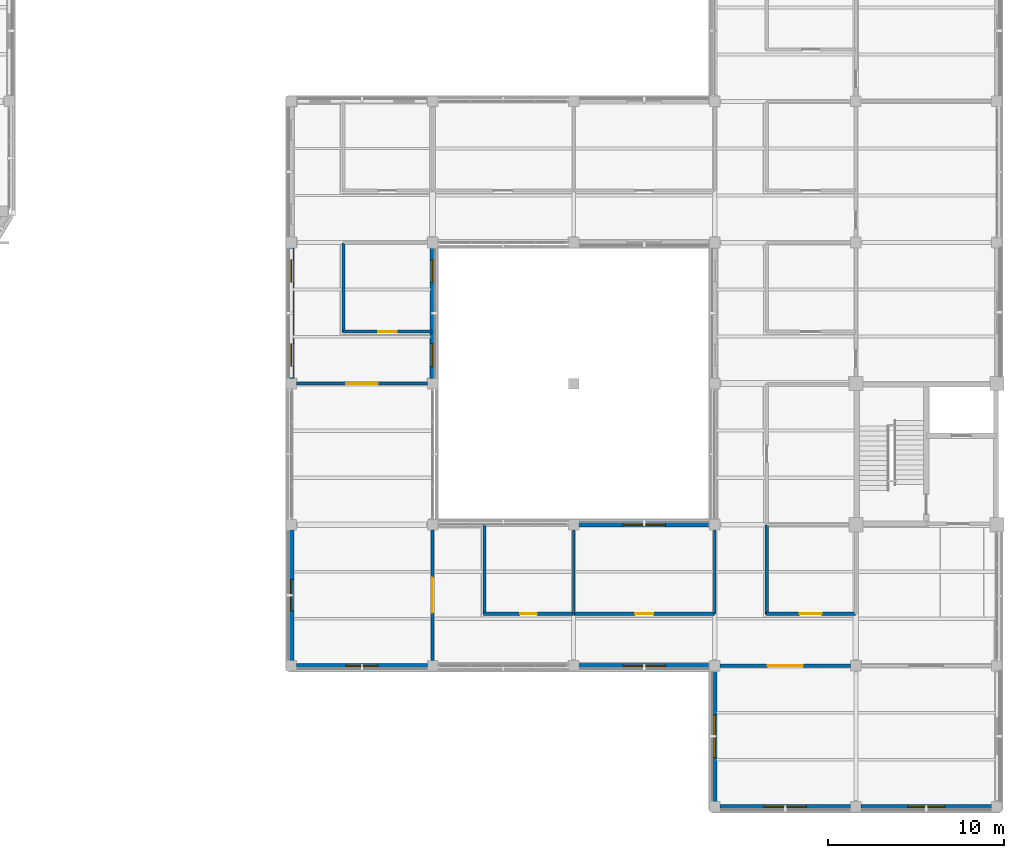
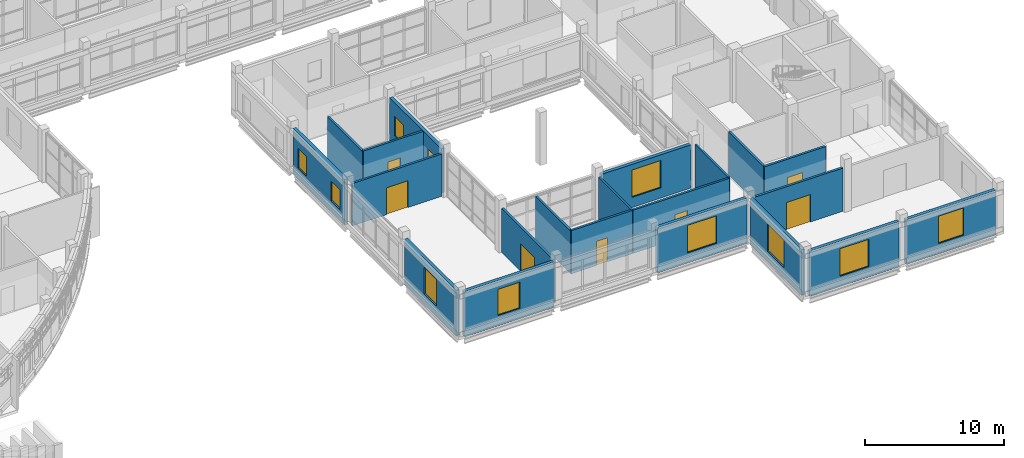
# One storey, part 92 of 121: 21 walls, 11 windows, 7 doors, 18 openings.
"""IFC4 building model written with IfcOpenShell, lengths in metres."""

from ifc_helpers import new_model, si_unit, derived_unit, direction, frame, frame_2d, origin, place, context, subcontext, project, spatial, rectangle, extrude, material, layer, layer_set, type_object, element, fill, save


model = new_model("IFC4")

# Units and contexts
model_context = context("Model", 3, precision=1e-05, world=origin(), true_north=direction((0.0, 1.0)))
body_context = subcontext(model_context, "Body", "Model", "MODEL_VIEW")
ifc_project = project(units=[si_unit("LENGTHUNIT", "METRE"), si_unit("AREAUNIT", "SQUARE_METRE"), si_unit("VOLUMEUNIT", "CUBIC_METRE"), si_unit("PLANEANGLEUNIT", "RADIAN"), si_unit("MASSUNIT", "GRAM", prefix="KILO"), derived_unit("THERMALTRANSMITTANCEUNIT", [(si_unit("MASSUNIT", "GRAM", prefix="KILO"), 1), (si_unit("TIMEUNIT", "SECOND"), -3), (si_unit("THERMODYNAMICTEMPERATUREUNIT", "KELVIN"), -1)])], contexts=[model_context])

# Site, building, storey
site_placement = place(None, origin())
site = spatial("IfcSite", under=ifc_project, at=site_placement, CompositionType="ELEMENT")
building_placement = place(site_placement, origin())
building = spatial("IfcBuilding", under=site, at=building_placement, Name="Veyamyaing Civic Hall", CompositionType="ELEMENT")
storey_placement = place(building_placement, frame((0.0, 0.0, 5.280029296875)))
storey = spatial("IfcBuildingStorey", under=building, at=storey_placement, Name="L01", CompositionType="ELEMENT", Elevation=5.280029296875)

# Wall, opening, door
ifc_material_1 = material(Name="Gypsum board on acoustic steel stud", Category="steel")
ifc_layer_1 = layer(ifc_material_1, 0.175048828125, Name="Gypsum board on acoustic steel stud")
ifc_layer_set_1 = layer_set([ifc_layer_1], Name="Gypsum board on acoustic steel stud")
wall_type_1 = type_object("IfcWallType", Name="WT-07", PredefinedType="PARTITIONING", material=ifc_layer_set_1)
wall_1_placement = place(storey_placement, frame((138.89990234375, 26.949951171875, 0.0), z_axis=(0.0, 0.0, 1.0), x_axis=(1.0, 0.0, 0.0)))
wall_1 = element("IfcWall", 1, at=wall_1_placement, inside=storey, type_object=wall_type_1, Name="Corridor gallery partition WT-07 L01.63.1", PredefinedType="PARTITIONING", context=body_context, shape_type="SweptSolid", body=[
    extrude(rectangle(XDim=5.080078125, YDim=0.175048828125, at=frame_2d((2.5400390625, 0.0))), origin(), (0.0, 0.0, 1.0), 3.85693359375),
])
opening_1_placement = place(wall_1_placement, frame((2.02001953125, 0.0, 0.0)))
opening_1 = element("IfcOpeningElement", 2, at=opening_1_placement, cuts=wall_1, Name="Opening D-24", PredefinedType="OPENING", context=body_context, shape_type="SweptSolid", body=[
    extrude(rectangle(XDim=1.0400390625, YDim=2.179931640625, at=frame_2d((0.52001953125, 1.08984375))), frame((0.0, 0.097412109375, 0.0), z_axis=(0.0, -1.0, 0.0), x_axis=(1.0, 0.0, 0.0)), (0.0, 0.0, 1.0), 0.195068359375),
])
ifc_material_2 = material(Name="Teak-veneered acoustic timber", Category="wood")
door_type_1 = type_object("IfcDoorType", Name="D-24", OperationType="NOTDEFINED", PredefinedType="DOOR", material=ifc_material_2)
door_1_placement = place(opening_1_placement, origin())
door_1 = element("IfcDoor", 3, at=door_1_placement, inside=storey, type_object=door_type_1, Name="Gallery office door D-24 L01.63", OperationType="SINGLE_SWING_LEFT", OverallHeight=2.179931640625, OverallWidth=1.0400390625, PredefinedType="DOOR", context=body_context, shape_type="SweptSolid", body=[
    extrude(rectangle(XDim=1.0400390625, YDim=2.179931640625, at=frame_2d((0.52001953125, 1.08984375))), frame((0.0, 0.02490234375, 0.0), z_axis=(0.0, -1.0, 0.0), x_axis=(1.0, 0.0, 0.0)), (0.0, 0.0, 1.0), 0.050048828125),
])
fill(opening_1, door_1)

# Wall
wall_2_placement = place(storey_placement, frame((138.949951171875, 26.89990234375, 0.0), z_axis=(0.0, 0.0, 1.0), x_axis=(0.0, 1.0, 0.0)))
element("IfcWall", 4, at=wall_2_placement, inside=storey, type_object=wall_type_1, Name="Corridor gallery partition WT-07 L01.63.2", PredefinedType="PARTITIONING", context=body_context, shape_type="SweptSolid", body=[
    extrude(rectangle(XDim=5.080078125, YDim=0.175048828125, at=frame_2d((2.5400390625, 0.0))), origin(), (0.0, 0.0, 1.0), 3.786865234375),
])

# Wall, opening, door
wall_3_placement = place(storey_placement, frame((146.89990234375, 10.949951171875, 0.0), z_axis=(0.0, 0.0, 1.0), x_axis=(1.0, 0.0, 0.0)))
wall_3 = element("IfcWall", 5, at=wall_3_placement, inside=storey, type_object=wall_type_1, Name="Corridor gallery partition WT-07 L01.67.1", PredefinedType="PARTITIONING", context=body_context, shape_type="SweptSolid", body=[
    extrude(rectangle(XDim=5.080078125, YDim=0.175048828125, at=frame_2d((2.5400390625, 0.0))), origin(), (0.0, 0.0, 1.0), 3.786865234375),
])
opening_2_placement = place(wall_3_placement, frame((2.070068359375, 0.0, 0.0)))
opening_2 = element("IfcOpeningElement", 6, at=opening_2_placement, cuts=wall_3, Name="Opening D-30", PredefinedType="OPENING", context=body_context, shape_type="SweptSolid", body=[
    extrude(rectangle(XDim=0.93994140625, YDim=2.1201171875, at=frame_2d((0.469970703125, 1.06005859375))), frame((0.0, 0.097412109375, 0.0), z_axis=(0.0, -1.0, 0.0), x_axis=(1.0, 0.0, 0.0)), (0.0, 0.0, 1.0), 0.195068359375),
])
door_type_2 = type_object("IfcDoorType", Name="D-30", OperationType="NOTDEFINED", PredefinedType="DOOR", material=ifc_material_2)
door_2_placement = place(opening_2_placement, origin())
door_2 = element("IfcDoor", 7, at=door_2_placement, inside=storey, type_object=door_type_2, Name="Gallery office door D-30 L01.67", OperationType="SINGLE_SWING_LEFT", OverallHeight=2.1201171875, OverallWidth=0.93994140625, PredefinedType="DOOR", context=body_context, shape_type="SweptSolid", body=[
    extrude(rectangle(XDim=0.93994140625, YDim=2.1201171875, at=frame_2d((0.469970703125, 1.06005859375))), frame((0.0, 0.02490234375, 0.0), z_axis=(0.0, -1.0, 0.0), x_axis=(1.0, 0.0, 0.0)), (0.0, 0.0, 1.0), 0.050048828125),
])
fill(opening_2, door_2)

# Wall
wall_4_placement = place(storey_placement, frame((146.949951171875, 10.89990234375, 0.0), z_axis=(0.0, 0.0, 1.0), x_axis=(0.0, 1.0, 0.0)))
element("IfcWall", 8, at=wall_4_placement, inside=storey, type_object=wall_type_1, Name="Corridor gallery partition WT-07 L01.67.2", PredefinedType="PARTITIONING", context=body_context, shape_type="SweptSolid", body=[
    extrude(rectangle(XDim=5.080078125, YDim=0.175048828125, at=frame_2d((2.5400390625, 0.0))), origin(), (0.0, 0.0, 1.0), 3.7119140625),
])

# Wall, opening, door
wall_5_placement = place(storey_placement, frame((152.02001953125, 10.949951171875, 0.0), z_axis=(0.0, 0.0, 1.0), x_axis=(1.0, 0.0, 0.0)))
wall_5 = element("IfcWall", 9, at=wall_5_placement, inside=storey, type_object=wall_type_1, Name="Corridor gallery partition WT-07 L01.73.1", PredefinedType="PARTITIONING", context=body_context, shape_type="SweptSolid", body=[
    extrude(rectangle(XDim=7.9599609375, YDim=0.175048828125, at=frame_2d((3.97998046875, 0.0))), origin(), (0.0, 0.0, 1.0), 3.786865234375),
])
opening_3_placement = place(wall_5_placement, frame((3.4599609375, 0.0, 0.0)))
opening_3 = element("IfcOpeningElement", 10, at=opening_3_placement, cuts=wall_5, Name="Opening D-24", PredefinedType="OPENING", context=body_context, shape_type="SweptSolid", body=[
    extrude(rectangle(XDim=1.0400390625, YDim=2.179931640625, at=frame_2d((0.52001953125, 1.08984375))), frame((0.0, 0.097412109375, 0.0), z_axis=(0.0, -1.0, 0.0), x_axis=(1.0, 0.0, 0.0)), (0.0, 0.0, 1.0), 0.195068359375),
])
door_3_placement = place(opening_3_placement, origin())
door_3 = element("IfcDoor", 11, at=door_3_placement, inside=storey, type_object=door_type_1, Name="Gallery office door D-24 L01.73", OperationType="SINGLE_SWING_LEFT", OverallHeight=2.179931640625, OverallWidth=1.0400390625, PredefinedType="DOOR", context=body_context, shape_type="SweptSolid", body=[
    extrude(rectangle(XDim=1.0400390625, YDim=2.179931640625, at=frame_2d((0.52001953125, 1.08984375))), frame((0.0, 0.02490234375, 0.0), z_axis=(0.0, -1.0, 0.0), x_axis=(1.0, 0.0, 0.0)), (0.0, 0.0, 1.0), 0.050048828125),
])
fill(opening_3, door_3)

wall_6_placement = place(storey_placement, frame((136.2900390625, 24.0, 0.0), z_axis=(0.0, 0.0, 1.0), x_axis=(1.0, 0.0, 0.0)))
wall_6 = element("IfcWall", 12, at=wall_6_placement, inside=storey, type_object=wall_type_1, Name="Interior partition wall WT-07 L01.99", PredefinedType="PARTITIONING", context=body_context, shape_type="SweptSolid", body=[
    extrude(rectangle(XDim=7.419921875, YDim=0.175048828125, at=frame_2d((3.7099609375, 0.0))), origin(), (0.0, 0.0, 1.0), 3.7119140625),
])
opening_4_placement = place(wall_6_placement, frame((2.81005859375, 0.0, 0.0)))
opening_4 = element("IfcOpeningElement", 13, at=opening_4_placement, cuts=wall_6, Name="Opening D-08", PredefinedType="OPENING", context=body_context, shape_type="SweptSolid", body=[
    extrude(rectangle(XDim=1.800048828125, YDim=2.35009765625, at=frame_2d((0.89990234375, 1.175048828125))), frame((0.0, 0.097412109375, 0.0), z_axis=(0.0, -1.0, 0.0), x_axis=(1.0, 0.0, 0.0)), (0.0, 0.0, 1.0), 0.195068359375),
])
door_type_3 = type_object("IfcDoorType", Name="D-08", OperationType="DOUBLE_DOOR_SINGLE_SWING", PredefinedType="DOOR", material=ifc_material_2)
door_4_placement = place(opening_4_placement, frame((1.800048828125, 0.0, 0.0), z_axis=(0.0, 0.0, 1.0), x_axis=(-1.0, 0.0, 0.0)))
door_4 = element("IfcDoor", 14, at=door_4_placement, inside=storey, type_object=door_type_3, Name="Interior door D-08 L01.99", OperationType="DOUBLE_DOOR_SINGLE_SWING", OverallHeight=2.35009765625, OverallWidth=1.800048828125, PredefinedType="DOOR", context=body_context, shape_type="SweptSolid", body=[
    extrude(rectangle(XDim=1.800048828125, YDim=2.35009765625, at=frame_2d((0.89990234375, 1.175048828125))), frame((0.0, 0.02490234375, 0.0), z_axis=(0.0, -1.0, 0.0), x_axis=(1.0, 0.0, 0.0)), (0.0, 0.0, 1.0), 0.050048828125),
])
fill(opening_4, door_4)

# Walls
ifc_material_3 = material(Name="Gypsum board on steel stud", Category="steel")
ifc_layer_2 = layer(ifc_material_3, 0.14990234375, Name="Gypsum board on steel stud")
ifc_layer_set_2 = layer_set([ifc_layer_2], Name="Gypsum board on steel stud")
wall_type_2 = type_object("IfcWallType", Name="WT-08", PredefinedType="PARTITIONING", material=ifc_layer_set_2)
wall_7_placement = place(storey_placement, frame((152.0, 10.949951171875, 0.0), z_axis=(0.0, 0.0, 1.0), x_axis=(0.0, 1.0, 0.0)))
element("IfcWall", 15, at=wall_7_placement, inside=storey, type_object=wall_type_2, Name="Gallery office end partition WT-08 L01.67.2", PredefinedType="PARTITIONING", context=body_context, shape_type="SweptSolid", body=[
    extrude(rectangle(XDim=4.739990234375, YDim=0.14990234375, at=frame_2d((2.3701171875, 0.0))), origin(), (0.0, 0.0, 1.0), 3.786865234375),
])
wall_8_placement = place(storey_placement, frame((160.0, 10.949951171875, 0.0), z_axis=(0.0, 0.0, 1.0), x_axis=(0.0, 1.0, 0.0)))
element("IfcWall", 16, at=wall_8_placement, inside=storey, type_object=wall_type_2, Name="Gallery office end partition WT-08 L01.73.2", PredefinedType="PARTITIONING", context=body_context, shape_type="SweptSolid", body=[
    extrude(rectangle(XDim=4.739990234375, YDim=0.14990234375, at=frame_2d((2.3701171875, 0.0))), origin(), (0.0, 0.0, 1.0), 3.85693359375),
])

# Wall, opening, window
ifc_material_4 = material(Name="Precast concrete C40/50", Category="concrete")
ifc_layer_3 = layer(ifc_material_4, 0.27001953125, Name="Precast concrete C40/50")
ifc_layer_set_3 = layer_set([ifc_layer_3], Name="Precast concrete C40/50")
wall_type_3 = type_object("IfcWallType", Name="WT-18", PredefinedType="SOLIDWALL", material=ifc_layer_set_3)
wall_9_placement = place(storey_placement, frame((136.284912109375, 8.0, 0.0), z_axis=(0.0, 0.0, 1.0), x_axis=(1.0, 0.0, 0.0)))
wall_9 = element("IfcWall", 17, at=wall_9_placement, inside=storey, type_object=wall_type_3, Name="Exterior facade wall WT-18 L01 S 18.2", PredefinedType="SOLIDWALL", context=body_context, shape_type="SweptSolid", body=[
    extrude(rectangle(XDim=7.43017578125, YDim=0.27001953125, at=frame_2d((3.715087890625, 0.0))), origin(), (0.0, 0.0, 1.0), 3.97705078125),
])
opening_5_placement = place(wall_9_placement, frame((2.81494140625, 0.0, 0.89990234375)))
opening_5 = element("IfcOpeningElement", 18, at=opening_5_placement, cuts=wall_9, Name="Opening W-06", PredefinedType="OPENING", context=body_context, shape_type="SweptSolid", body=[
    extrude(rectangle(XDim=1.800048828125, YDim=2.300048828125, at=frame_2d((0.89990234375, 1.14990234375))), frame((0.0, 0.14501953125, 0.0), z_axis=(0.0, -1.0, 0.0), x_axis=(1.0, 0.0, 0.0)), (0.0, 0.0, 1.0), 0.2900390625),
])
ifc_material_5 = material(Name="Low-E insulated glass", Category="glass")
window_type_1 = type_object("IfcWindowType", Name="W-06", PartitioningType="SINGLE_PANEL", PredefinedType="WINDOW", material=ifc_material_5)
window_1_placement = place(opening_5_placement, origin())
window_1 = element("IfcWindow", 19, at=window_1_placement, inside=storey, type_object=window_type_1, Name="Facade window W-06 L01 S 18.2", OverallHeight=2.300048828125, OverallWidth=1.800048828125, PartitioningType="SINGLE_PANEL", PredefinedType="WINDOW", context=body_context, shape_type="SweptSolid", body=[
    extrude(rectangle(XDim=1.800048828125, YDim=2.300048828125, at=frame_2d((0.89990234375, 1.14990234375))), frame((0.0, 0.030029296875, 0.0), z_axis=(0.0, -1.0, 0.0), x_axis=(1.0, 0.0, 0.0)), (0.0, 0.0, 1.0), 0.06005859375),
])
fill(opening_5, window_1)

wall_10_placement = place(storey_placement, frame((136.0, 8.284912109375, 0.0), z_axis=(0.0, 0.0, 1.0), x_axis=(0.0, 1.0, 0.0)))
wall_10 = element("IfcWall", 20, at=wall_10_placement, inside=storey, type_object=wall_type_3, Name="Exterior facade wall WT-18 L01 W 18.2", PredefinedType="SOLIDWALL", context=body_context, shape_type="SweptSolid", body=[
    extrude(rectangle(XDim=7.43017578125, YDim=0.27001953125, at=frame_2d((3.715087890625, 0.0))), origin(), (0.0, 0.0, 1.0), 3.97705078125),
])
opening_6_placement = place(wall_10_placement, frame((2.81494140625, 0.0, 0.89990234375)))
opening_6 = element("IfcOpeningElement", 21, at=opening_6_placement, cuts=wall_10, Name="Opening W-06", PredefinedType="OPENING", context=body_context, shape_type="SweptSolid", body=[
    extrude(rectangle(XDim=1.800048828125, YDim=2.300048828125, at=frame_2d((0.89990234375, 1.14990234375))), frame((0.0, 0.14501953125, 0.0), z_axis=(0.0, -1.0, 0.0), x_axis=(1.0, 0.0, 0.0)), (0.0, 0.0, 1.0), 0.2900390625),
])
window_2_placement = place(opening_6_placement, origin())
window_2 = element("IfcWindow", 22, at=window_2_placement, inside=storey, type_object=window_type_1, Name="Facade window W-06 L01 W 18.2", OverallHeight=2.300048828125, OverallWidth=1.800048828125, PartitioningType="SINGLE_PANEL", PredefinedType="WINDOW", context=body_context, shape_type="SweptSolid", body=[
    extrude(rectangle(XDim=1.800048828125, YDim=2.300048828125, at=frame_2d((0.89990234375, 1.14990234375))), frame((0.0, 0.030029296875, 0.0), z_axis=(0.0, -1.0, 0.0), x_axis=(1.0, 0.0, 0.0)), (0.0, 0.0, 1.0), 0.06005859375),
])
fill(opening_6, window_2)

# Wall, openings, windows
wall_11_placement = place(storey_placement, frame((136.0, 24.284912109375, 0.0), z_axis=(0.0, 0.0, 1.0), x_axis=(0.0, 1.0, 0.0)))
wall_11 = element("IfcWall", 23, at=wall_11_placement, inside=storey, type_object=wall_type_3, Name="Exterior facade wall WT-18 L01 W 18.4", PredefinedType="SOLIDWALL", context=body_context, shape_type="SweptSolid", body=[
    extrude(rectangle(XDim=7.43017578125, YDim=0.27001953125, at=frame_2d((3.715087890625, 0.0))), origin(), (0.0, 0.0, 1.0), 3.973876953125),
])
opening_7_placement = place(wall_11_placement, frame((0.697509765625, 0.0, 0.949951171875)))
opening_7 = element("IfcOpeningElement", 24, at=opening_7_placement, cuts=wall_11, Name="Opening W-31", PredefinedType="OPENING", context=body_context, shape_type="SweptSolid", body=[
    extrude(rectangle(XDim=1.280029296875, YDim=1.719970703125, at=frame_2d((0.64013671875, 0.85986328125))), frame((0.0, 0.14501953125, 0.0), z_axis=(0.0, -1.0, 0.0), x_axis=(1.0, 0.0, 0.0)), (0.0, 0.0, 1.0), 0.2900390625),
])
opening_8_placement = place(wall_11_placement, frame((5.45263671875, 0.0, 0.949951171875)))
opening_8 = element("IfcOpeningElement", 25, at=opening_8_placement, cuts=wall_11, Name="Opening W-31", PredefinedType="OPENING", context=body_context, shape_type="SweptSolid", body=[
    extrude(rectangle(XDim=1.280029296875, YDim=1.719970703125, at=frame_2d((0.64013671875, 0.85986328125))), frame((0.0, 0.14501953125, 0.0), z_axis=(0.0, -1.0, 0.0), x_axis=(1.0, 0.0, 0.0)), (0.0, 0.0, 1.0), 0.2900390625),
])
window_type_2 = type_object("IfcWindowType", Name="W-31", PartitioningType="SINGLE_PANEL", PredefinedType="WINDOW", material=ifc_material_5)
window_3_placement = place(opening_7_placement, origin())
window_3 = element("IfcWindow", 26, at=window_3_placement, inside=storey, type_object=window_type_2, Name="Facade window W-31 L01 W 18.4.1", OverallHeight=1.719970703125, OverallWidth=1.280029296875, PartitioningType="SINGLE_PANEL", PredefinedType="WINDOW", context=body_context, shape_type="SweptSolid", body=[
    extrude(rectangle(XDim=1.280029296875, YDim=1.719970703125, at=frame_2d((0.64013671875, 0.85986328125))), frame((0.0, 0.030029296875, 0.0), z_axis=(0.0, -1.0, 0.0), x_axis=(1.0, 0.0, 0.0)), (0.0, 0.0, 1.0), 0.06005859375),
])
fill(opening_7, window_3)
window_4_placement = place(opening_8_placement, origin())
window_4 = element("IfcWindow", 27, at=window_4_placement, inside=storey, type_object=window_type_2, Name="Facade window W-31 L01 W 18.4.2", OverallHeight=1.719970703125, OverallWidth=1.280029296875, PartitioningType="SINGLE_PANEL", PredefinedType="WINDOW", context=body_context, shape_type="SweptSolid", body=[
    extrude(rectangle(XDim=1.280029296875, YDim=1.719970703125, at=frame_2d((0.64013671875, 0.85986328125))), frame((0.0, 0.030029296875, 0.0), z_axis=(0.0, -1.0, 0.0), x_axis=(1.0, 0.0, 0.0)), (0.0, 0.0, 1.0), 0.06005859375),
])
fill(opening_8, window_4)

wall_12_placement = place(storey_placement, frame((144.0, 24.284912109375, 0.0), z_axis=(0.0, 0.0, 1.0), x_axis=(0.0, 1.0, 0.0)))
wall_12 = element("IfcWall", 28, at=wall_12_placement, inside=storey, type_object=wall_type_3, Name="Exterior facade wall WT-18 L01 E 18.4", PredefinedType="SOLIDWALL", context=body_context, shape_type="SweptSolid", body=[
    extrude(rectangle(XDim=7.43017578125, YDim=0.27001953125, at=frame_2d((3.715087890625, 0.0))), origin(), (0.0, 0.0, 1.0), 3.864013671875),
])
opening_9_placement = place(wall_12_placement, frame((0.697509765625, 0.0, 0.949951171875)))
opening_9 = element("IfcOpeningElement", 29, at=opening_9_placement, cuts=wall_12, Name="Opening W-31", PredefinedType="OPENING", context=body_context, shape_type="SweptSolid", body=[
    extrude(rectangle(XDim=1.280029296875, YDim=1.719970703125, at=frame_2d((0.64013671875, 0.85986328125))), frame((0.0, 0.14501953125, 0.0), z_axis=(0.0, -1.0, 0.0), x_axis=(1.0, 0.0, 0.0)), (0.0, 0.0, 1.0), 0.2900390625),
])
opening_10_placement = place(wall_12_placement, frame((5.45263671875, 0.0, 0.949951171875)))
opening_10 = element("IfcOpeningElement", 30, at=opening_10_placement, cuts=wall_12, Name="Opening W-31", PredefinedType="OPENING", context=body_context, shape_type="SweptSolid", body=[
    extrude(rectangle(XDim=1.280029296875, YDim=1.719970703125, at=frame_2d((0.64013671875, 0.85986328125))), frame((0.0, 0.14501953125, 0.0), z_axis=(0.0, -1.0, 0.0), x_axis=(1.0, 0.0, 0.0)), (0.0, 0.0, 1.0), 0.2900390625),
])
window_5_placement = place(opening_9_placement, origin())
window_5 = element("IfcWindow", 31, at=window_5_placement, inside=storey, type_object=window_type_2, Name="Facade window W-31 L01 E 18.4.1", OverallHeight=1.719970703125, OverallWidth=1.280029296875, PartitioningType="SINGLE_PANEL", PredefinedType="WINDOW", context=body_context, shape_type="SweptSolid", body=[
    extrude(rectangle(XDim=1.280029296875, YDim=1.719970703125, at=frame_2d((0.64013671875, 0.85986328125))), frame((0.0, 0.030029296875, 0.0), z_axis=(0.0, -1.0, 0.0), x_axis=(1.0, 0.0, 0.0)), (0.0, 0.0, 1.0), 0.06005859375),
])
fill(opening_9, window_5)
window_6_placement = place(opening_10_placement, origin())
window_6 = element("IfcWindow", 32, at=window_6_placement, inside=storey, type_object=window_type_2, Name="Facade window W-31 L01 E 18.4.2", OverallHeight=1.719970703125, OverallWidth=1.280029296875, PartitioningType="SINGLE_PANEL", PredefinedType="WINDOW", context=body_context, shape_type="SweptSolid", body=[
    extrude(rectangle(XDim=1.280029296875, YDim=1.719970703125, at=frame_2d((0.64013671875, 0.85986328125))), frame((0.0, 0.030029296875, 0.0), z_axis=(0.0, -1.0, 0.0), x_axis=(1.0, 0.0, 0.0)), (0.0, 0.0, 1.0), 0.06005859375),
])
fill(opening_10, window_6)

# Wall, opening, window
wall_13_placement = place(storey_placement, frame((152.284912109375, 8.0, 0.0), z_axis=(0.0, 0.0, 1.0), x_axis=(1.0, 0.0, 0.0)))
wall_13 = element("IfcWall", 33, at=wall_13_placement, inside=storey, type_object=wall_type_3, Name="Exterior facade wall WT-18 L01 S 20.2", PredefinedType="SOLIDWALL", context=body_context, shape_type="SweptSolid", body=[
    extrude(rectangle(XDim=7.43017578125, YDim=0.27001953125, at=frame_2d((3.715087890625, 0.0))), origin(), (0.0, 0.0, 1.0), 3.973876953125),
])
opening_11_placement = place(wall_13_placement, frame((2.514892578125, 0.0, 0.89990234375)))
opening_11 = element("IfcOpeningElement", 34, at=opening_11_placement, cuts=wall_13, Name="Opening W-04", PredefinedType="OPENING", context=body_context, shape_type="SweptSolid", body=[
    extrude(rectangle(XDim=2.39990234375, YDim=2.39990234375, at=frame_2d((1.199951171875, 1.199951171875))), frame((0.0, 0.14501953125, 0.0), z_axis=(0.0, -1.0, 0.0), x_axis=(1.0, 0.0, 0.0)), (0.0, 0.0, 1.0), 0.2900390625),
])
window_type_3 = type_object("IfcWindowType", Name="W-04", PartitioningType="SINGLE_PANEL", PredefinedType="WINDOW", material=ifc_material_5)
window_7_placement = place(opening_11_placement, origin())
window_7 = element("IfcWindow", 35, at=window_7_placement, inside=storey, type_object=window_type_3, Name="Facade window W-04 L01 S 20.2", OverallHeight=2.39990234375, OverallWidth=2.39990234375, PartitioningType="SINGLE_PANEL", PredefinedType="WINDOW", context=body_context, shape_type="SweptSolid", body=[
    extrude(rectangle(XDim=2.39990234375, YDim=2.39990234375, at=frame_2d((1.199951171875, 1.199951171875))), frame((0.0, 0.030029296875, 0.0), z_axis=(0.0, -1.0, 0.0), x_axis=(1.0, 0.0, 0.0)), (0.0, 0.0, 1.0), 0.06005859375),
])
fill(opening_11, window_7)

wall_14_placement = place(storey_placement, frame((152.284912109375, 16.0, 0.0), z_axis=(0.0, 0.0, 1.0), x_axis=(1.0, 0.0, 0.0)))
wall_14 = element("IfcWall", 36, at=wall_14_placement, inside=storey, type_object=wall_type_3, Name="Exterior facade wall WT-18 L01 N 20.2", PredefinedType="SOLIDWALL", context=body_context, shape_type="SweptSolid", body=[
    extrude(rectangle(XDim=7.43017578125, YDim=0.27001953125, at=frame_2d((3.715087890625, 0.0))), origin(), (0.0, 0.0, 1.0), 3.7939453125),
])
opening_12_placement = place(wall_14_placement, frame((2.514892578125, 0.0, 0.89990234375)))
opening_12 = element("IfcOpeningElement", 37, at=opening_12_placement, cuts=wall_14, Name="Opening W-04", PredefinedType="OPENING", context=body_context, shape_type="SweptSolid", body=[
    extrude(rectangle(XDim=2.39990234375, YDim=2.39990234375, at=frame_2d((1.199951171875, 1.199951171875))), frame((0.0, 0.14501953125, 0.0), z_axis=(0.0, -1.0, 0.0), x_axis=(1.0, 0.0, 0.0)), (0.0, 0.0, 1.0), 0.2900390625),
])
window_8_placement = place(opening_12_placement, origin())
window_8 = element("IfcWindow", 38, at=window_8_placement, inside=storey, type_object=window_type_3, Name="Facade window W-04 L01 N 20.2", OverallHeight=2.39990234375, OverallWidth=2.39990234375, PartitioningType="SINGLE_PANEL", PredefinedType="WINDOW", context=body_context, shape_type="SweptSolid", body=[
    extrude(rectangle(XDim=2.39990234375, YDim=2.39990234375, at=frame_2d((1.199951171875, 1.199951171875))), frame((0.0, 0.030029296875, 0.0), z_axis=(0.0, -1.0, 0.0), x_axis=(1.0, 0.0, 0.0)), (0.0, 0.0, 1.0), 0.06005859375),
])
fill(opening_12, window_8)

wall_15_placement = place(storey_placement, frame((160.284912109375, 0.0, 0.0), z_axis=(0.0, 0.0, 1.0), x_axis=(1.0, 0.0, 0.0)))
wall_15 = element("IfcWall", 39, at=wall_15_placement, inside=storey, type_object=wall_type_3, Name="Exterior facade wall WT-18 L01 S 21.1", PredefinedType="SOLIDWALL", context=body_context, shape_type="SweptSolid", body=[
    extrude(rectangle(XDim=7.43017578125, YDim=0.27001953125, at=frame_2d((3.715087890625, 0.0))), origin(), (0.0, 0.0, 1.0), 3.973876953125),
])
opening_13_placement = place(wall_15_placement, frame((2.514892578125, 0.0, 0.89990234375)))
opening_13 = element("IfcOpeningElement", 40, at=opening_13_placement, cuts=wall_15, Name="Opening W-04", PredefinedType="OPENING", context=body_context, shape_type="SweptSolid", body=[
    extrude(rectangle(XDim=2.39990234375, YDim=2.39990234375, at=frame_2d((1.199951171875, 1.199951171875))), frame((0.0, 0.14501953125, 0.0), z_axis=(0.0, -1.0, 0.0), x_axis=(1.0, 0.0, 0.0)), (0.0, 0.0, 1.0), 0.2900390625),
])
window_9_placement = place(opening_13_placement, origin())
window_9 = element("IfcWindow", 41, at=window_9_placement, inside=storey, type_object=window_type_3, Name="Facade window W-04 L01 S 21.1", OverallHeight=2.39990234375, OverallWidth=2.39990234375, PartitioningType="SINGLE_PANEL", PredefinedType="WINDOW", context=body_context, shape_type="SweptSolid", body=[
    extrude(rectangle(XDim=2.39990234375, YDim=2.39990234375, at=frame_2d((1.199951171875, 1.199951171875))), frame((0.0, 0.030029296875, 0.0), z_axis=(0.0, -1.0, 0.0), x_axis=(1.0, 0.0, 0.0)), (0.0, 0.0, 1.0), 0.06005859375),
])
fill(opening_13, window_9)

wall_16_placement = place(storey_placement, frame((160.0, 0.284912109375, 0.0), z_axis=(0.0, 0.0, 1.0), x_axis=(0.0, 1.0, 0.0)))
wall_16 = element("IfcWall", 42, at=wall_16_placement, inside=storey, type_object=wall_type_3, Name="Exterior facade wall WT-18 L01 W 21.1", PredefinedType="SOLIDWALL", context=body_context, shape_type="SweptSolid", body=[
    extrude(rectangle(XDim=7.43017578125, YDim=0.27001953125, at=frame_2d((3.715087890625, 0.0))), origin(), (0.0, 0.0, 1.0), 3.973876953125),
])
opening_14_placement = place(wall_16_placement, frame((2.514892578125, 0.0, 0.89990234375)))
opening_14 = element("IfcOpeningElement", 43, at=opening_14_placement, cuts=wall_16, Name="Opening W-04", PredefinedType="OPENING", context=body_context, shape_type="SweptSolid", body=[
    extrude(rectangle(XDim=2.39990234375, YDim=2.39990234375, at=frame_2d((1.199951171875, 1.199951171875))), frame((0.0, 0.14501953125, 0.0), z_axis=(0.0, -1.0, 0.0), x_axis=(1.0, 0.0, 0.0)), (0.0, 0.0, 1.0), 0.2900390625),
])
window_10_placement = place(opening_14_placement, origin())
window_10 = element("IfcWindow", 44, at=window_10_placement, inside=storey, type_object=window_type_3, Name="Facade window W-04 L01 W 21.1", OverallHeight=2.39990234375, OverallWidth=2.39990234375, PartitioningType="SINGLE_PANEL", PredefinedType="WINDOW", context=body_context, shape_type="SweptSolid", body=[
    extrude(rectangle(XDim=2.39990234375, YDim=2.39990234375, at=frame_2d((1.199951171875, 1.199951171875))), frame((0.0, 0.030029296875, 0.0), z_axis=(0.0, -1.0, 0.0), x_axis=(1.0, 0.0, 0.0)), (0.0, 0.0, 1.0), 0.06005859375),
])
fill(opening_14, window_10)

wall_17_placement = place(storey_placement, frame((168.284912109375, 0.0, 0.0), z_axis=(0.0, 0.0, 1.0), x_axis=(1.0, 0.0, 0.0)))
wall_17 = element("IfcWall", 45, at=wall_17_placement, inside=storey, type_object=wall_type_3, Name="Exterior facade wall WT-18 L01 S 22.1", PredefinedType="SOLIDWALL", context=body_context, shape_type="SweptSolid", body=[
    extrude(rectangle(XDim=7.43017578125, YDim=0.27001953125, at=frame_2d((3.715087890625, 0.0))), origin(), (0.0, 0.0, 1.0), 3.9140625),
])
opening_15_placement = place(wall_17_placement, frame((2.6650390625, 0.0, 0.89990234375)))
opening_15 = element("IfcOpeningElement", 46, at=opening_15_placement, cuts=wall_17, Name="Opening W-05", PredefinedType="OPENING", context=body_context, shape_type="SweptSolid", body=[
    extrude(rectangle(XDim=2.10009765625, YDim=2.39990234375, at=frame_2d((1.050048828125, 1.199951171875))), frame((0.0, 0.14501953125, 0.0), z_axis=(0.0, -1.0, 0.0), x_axis=(1.0, 0.0, 0.0)), (0.0, 0.0, 1.0), 0.2900390625),
])
window_type_4 = type_object("IfcWindowType", Name="W-05", PartitioningType="SINGLE_PANEL", PredefinedType="WINDOW", material=ifc_material_5)
window_11_placement = place(opening_15_placement, origin())
window_11 = element("IfcWindow", 47, at=window_11_placement, inside=storey, type_object=window_type_4, Name="Facade window W-05 L01 S 22.1", OverallHeight=2.39990234375, OverallWidth=2.10009765625, PartitioningType="SINGLE_PANEL", PredefinedType="WINDOW", context=body_context, shape_type="SweptSolid", body=[
    extrude(rectangle(XDim=2.10009765625, YDim=2.39990234375, at=frame_2d((1.050048828125, 1.199951171875))), frame((0.0, 0.030029296875, 0.0), z_axis=(0.0, -1.0, 0.0), x_axis=(1.0, 0.0, 0.0)), (0.0, 0.0, 1.0), 0.06005859375),
])
fill(opening_15, window_11)

# Wall, opening, door
ifc_material_6 = material(Name="Gypsum board on double acoustic stud")
ifc_layer_4 = layer(ifc_material_6, 0.18505859375, Name="Gypsum board on double acoustic stud")
ifc_layer_set_4 = layer_set([ifc_layer_4], Name="Gypsum board on double acoustic stud")
wall_type_4 = type_object("IfcWallType", Name="WT-19", PredefinedType="PARTITIONING", material=ifc_layer_set_4)
wall_18_placement = place(storey_placement, frame((162.89990234375, 10.949951171875, 0.0), z_axis=(0.0, 0.0, 1.0), x_axis=(1.0, 0.0, 0.0)))
wall_18 = element("IfcWall", 48, at=wall_18_placement, inside=storey, type_object=wall_type_4, Name="Corridor gallery partition WT-19 L01.76.1", PredefinedType="PARTITIONING", context=body_context, shape_type="SweptSolid", body=[
    extrude(rectangle(XDim=5.080078125, YDim=0.18505859375, at=frame_2d((2.5400390625, 0.0))), origin(), (0.0, 0.0, 1.0), 3.781005859375),
])
opening_16_placement = place(wall_18_placement, frame((1.9150390625, 0.0, 0.0)))
opening_16 = element("IfcOpeningElement", 49, at=opening_16_placement, cuts=wall_18, Name="Opening D-29", PredefinedType="OPENING", context=body_context, shape_type="SweptSolid", body=[
    extrude(rectangle(XDim=1.25, YDim=2.179931640625, at=frame_2d((0.625, 1.08984375))), frame((0.0, 0.1025390625, 0.0), z_axis=(0.0, -1.0, 0.0), x_axis=(1.0, 0.0, 0.0)), (0.0, 0.0, 1.0), 0.205078125),
])
door_type_4 = type_object("IfcDoorType", Name="D-29", OperationType="NOTDEFINED", PredefinedType="DOOR", material=ifc_material_2)
door_5_placement = place(opening_16_placement, origin())
door_5 = element("IfcDoor", 50, at=door_5_placement, inside=storey, type_object=door_type_4, Name="Gallery office door D-29 L01.76", OperationType="SINGLE_SWING_RIGHT", OverallHeight=2.179931640625, OverallWidth=1.25, PredefinedType="DOOR", context=body_context, shape_type="SweptSolid", body=[
    extrude(rectangle(XDim=1.25, YDim=2.179931640625, at=frame_2d((0.625, 1.08984375))), frame((0.0, 0.02490234375, 0.0), z_axis=(0.0, -1.0, 0.0), x_axis=(1.0, 0.0, 0.0)), (0.0, 0.0, 1.0), 0.050048828125),
])
fill(opening_16, door_5)

# Wall
wall_19_placement = place(storey_placement, frame((162.949951171875, 10.89990234375, 0.0), z_axis=(0.0, 0.0, 1.0), x_axis=(0.0, 1.0, 0.0)))
element("IfcWall", 51, at=wall_19_placement, inside=storey, type_object=wall_type_4, Name="Corridor gallery partition WT-19 L01.76.2", PredefinedType="PARTITIONING", context=body_context, shape_type="SweptSolid", body=[
    extrude(rectangle(XDim=5.080078125, YDim=0.18505859375, at=frame_2d((2.5400390625, 0.0))), origin(), (0.0, 0.0, 1.0), 3.77099609375),
])

# Wall, opening, door
wall_20_placement = place(storey_placement, frame((144.0, 8.2900390625, 0.0), z_axis=(0.0, 0.0, 1.0), x_axis=(0.0, 1.0, 0.0)))
wall_20 = element("IfcWall", 52, at=wall_20_placement, inside=storey, type_object=wall_type_4, Name="Interior partition wall WT-19 L01.98", PredefinedType="PARTITIONING", context=body_context, shape_type="SweptSolid", body=[
    extrude(rectangle(XDim=7.419921875, YDim=0.18505859375, at=frame_2d((3.7099609375, 0.0))), origin(), (0.0, 0.0, 1.0), 3.85107421875),
])
opening_17_placement = place(wall_20_placement, frame((2.7099609375, 0.0, 0.0)))
opening_17 = element("IfcOpeningElement", 53, at=opening_17_placement, cuts=wall_20, Name="Opening D-07", PredefinedType="OPENING", context=body_context, shape_type="SweptSolid", body=[
    extrude(rectangle(XDim=2.0, YDim=2.39990234375, at=frame_2d((1.0, 1.199951171875))), frame((0.0, 0.1025390625, 0.0), z_axis=(0.0, -1.0, 0.0), x_axis=(1.0, 0.0, 0.0)), (0.0, 0.0, 1.0), 0.205078125),
])
door_type_5 = type_object("IfcDoorType", Name="D-07", OperationType="DOUBLE_DOOR_SINGLE_SWING", PredefinedType="DOOR", material=ifc_material_2)
door_6_placement = place(opening_17_placement, origin())
door_6 = element("IfcDoor", 54, at=door_6_placement, inside=storey, type_object=door_type_5, Name="Interior door D-07 L01.98", OperationType="DOUBLE_DOOR_SINGLE_SWING", OverallHeight=2.39990234375, OverallWidth=2.0, PredefinedType="DOOR", context=body_context, shape_type="SweptSolid", body=[
    extrude(rectangle(XDim=2.0, YDim=2.39990234375, at=frame_2d((1.0, 1.199951171875))), frame((0.0, 0.02490234375, 0.0), z_axis=(0.0, -1.0, 0.0), x_axis=(1.0, 0.0, 0.0)), (0.0, 0.0, 1.0), 0.050048828125),
])
fill(opening_17, door_6)

wall_21_placement = place(storey_placement, frame((160.2900390625, 8.0, 0.0), z_axis=(0.0, 0.0, 1.0), x_axis=(1.0, 0.0, 0.0)))
wall_21 = element("IfcWall", 55, at=wall_21_placement, inside=storey, type_object=wall_type_4, Name="Interior partition wall WT-19 L01.106", PredefinedType="PARTITIONING", context=body_context, shape_type="SweptSolid", body=[
    extrude(rectangle(XDim=7.419921875, YDim=0.18505859375, at=frame_2d((3.7099609375, 0.0))), origin(), (0.0, 0.0, 1.0), 3.786865234375),
])
opening_18_placement = place(wall_21_placement, frame((2.7099609375, 0.0, 0.0)))
opening_18 = element("IfcOpeningElement", 56, at=opening_18_placement, cuts=wall_21, Name="Opening D-07", PredefinedType="OPENING", context=body_context, shape_type="SweptSolid", body=[
    extrude(rectangle(XDim=2.0, YDim=2.39990234375, at=frame_2d((1.0, 1.199951171875))), frame((0.0, 0.1025390625, 0.0), z_axis=(0.0, -1.0, 0.0), x_axis=(1.0, 0.0, 0.0)), (0.0, 0.0, 1.0), 0.205078125),
])
door_7_placement = place(opening_18_placement, frame((2.0, 0.0, 0.0), z_axis=(0.0, 0.0, 1.0), x_axis=(-1.0, 0.0, 0.0)))
door_7 = element("IfcDoor", 57, at=door_7_placement, inside=storey, type_object=door_type_5, Name="Interior door D-07 L01.106", OperationType="DOUBLE_DOOR_SINGLE_SWING", OverallHeight=2.39990234375, OverallWidth=2.0, PredefinedType="DOOR", context=body_context, shape_type="SweptSolid", body=[
    extrude(rectangle(XDim=2.0, YDim=2.39990234375, at=frame_2d((1.0, 1.199951171875))), frame((0.0, 0.02490234375, 0.0), z_axis=(0.0, -1.0, 0.0), x_axis=(1.0, 0.0, 0.0)), (0.0, 0.0, 1.0), 0.050048828125),
])
fill(opening_18, door_7)

save(model, "model.ifc")
